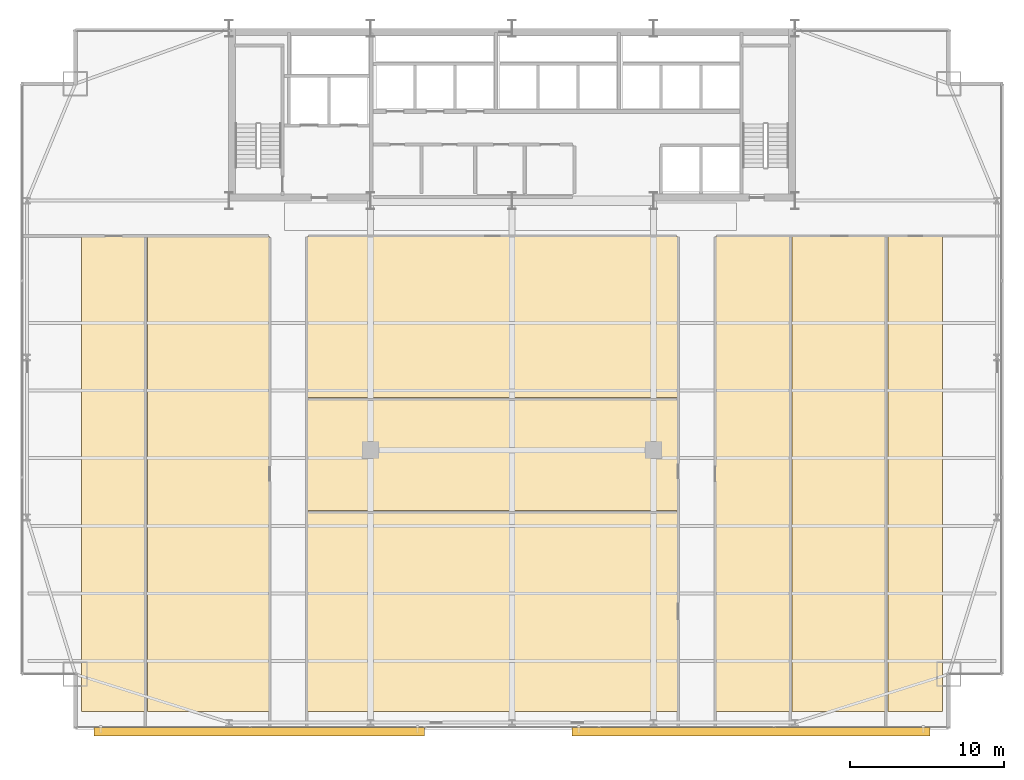
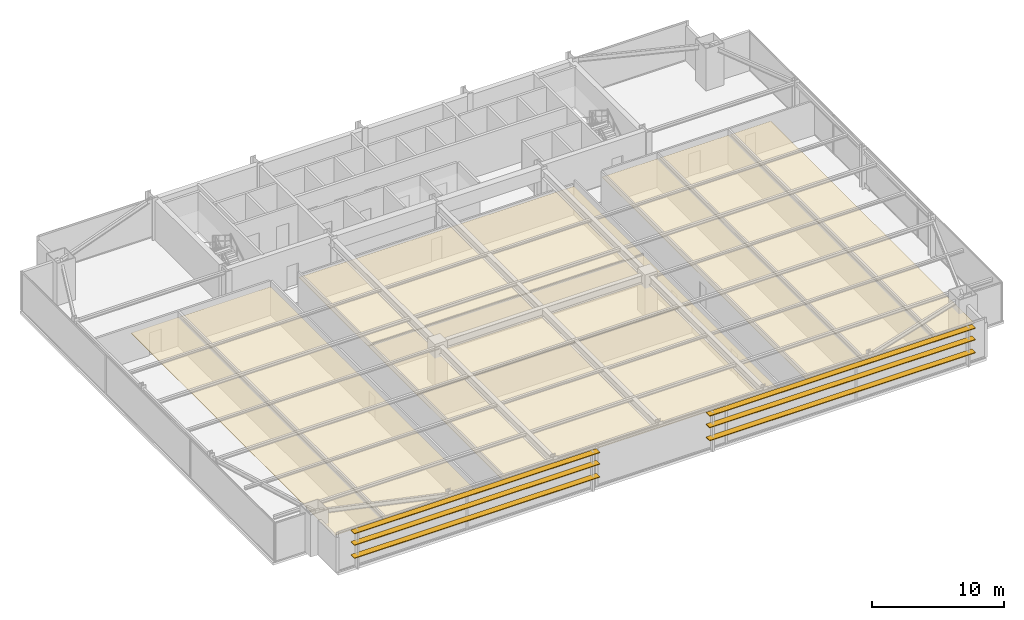
# One storey, part 31 of 32: 8 coverings, 6 shading devices.
"""IFC4 building model written with IfcOpenShell, lengths in metres."""

from ifc_helpers import new_model, si_unit, direction, frame, origin, origin_2d, place, context, subcontext, project, spatial, polyline, rectangle, outline, extrude, source, transform, mapped, material, layer, layer_set, type_object, type_shapes, element, save


model = new_model("IFC4")

# Units and contexts
model_context = context("Model", 3, precision=1e-05, world=origin(), true_north=direction((0.0, 1.0)))
body_context = subcontext(model_context, "Body", "Model", "MODEL_VIEW")
ifc_project = project(units=[si_unit("LENGTHUNIT", "METRE"), si_unit("AREAUNIT", "SQUARE_METRE"), si_unit("VOLUMEUNIT", "CUBIC_METRE"), si_unit("PLANEANGLEUNIT", "RADIAN"), si_unit("MASSUNIT", "GRAM", prefix="KILO")], contexts=[model_context])

# Site, building, storey
site_placement = place(None, origin())
site = spatial("IfcSite", under=ifc_project, at=site_placement, CompositionType="ELEMENT")
building_placement = place(site_placement, origin())
building = spatial("IfcBuilding", under=site, at=building_placement, Name="Varnel Quay Broadcast Tower", CompositionType="ELEMENT")
storey_placement = place(building_placement, frame((0.0, 0.0, 70.5)))
storey = spatial("IfcBuildingStorey", under=building, at=storey_placement, Name="L16", CompositionType="ELEMENT", Elevation=70.5)

# Coverings
ifc_material_1 = material(Name="Micro-Perforated Acoustic Ceiling Tile")
ifc_layer_1 = layer(ifc_material_1, 0.0400390625, Name="Micro-Perforated Acoustic Ceiling Tile")
ifc_layer_set_1 = layer_set([ifc_layer_1], Name="Micro-Perforated Acoustic Ceiling Tile")
covering_type = type_object("IfcCoveringType", Name="Cov_AcousticCeiling", PredefinedType="CEILING", material=ifc_layer_set_1)
covering_1_placement = place(storey_placement, frame((0.0, 0.0, 2.580078125)))
element("IfcCovering", 1, at=covering_1_placement, inside=storey, type_object=covering_type, Name="L16 Editorial Boardroom 1 Acoustic Ceiling", PredefinedType="CEILING", context=body_context, shape_type="SweptSolid", body=[
    extrude(outline(polyline([(5.985107421875, 2.375), (10.215087890625, 2.375), (10.215087890625, 33.264892578125), (5.985107421875, 33.264892578125), (5.985107421875, 2.375)])), origin(), (0.0, 0.0, 1.0), 0.0400390625),
])
covering_2_placement = place(storey_placement, frame((0.0, 0.0, 2.580078125)))
element("IfcCovering", 2, at=covering_2_placement, inside=storey, type_object=covering_type, Name="L16 Break Kitchen 2 Acoustic Ceiling", PredefinedType="CEILING", context=body_context, shape_type="SweptSolid", body=[
    extrude(outline(polyline([(10.284912109375, 2.375), (18.215087890625, 2.375), (18.215087890625, 33.264892578125), (10.284912109375, 33.264892578125), (10.284912109375, 2.375)])), origin(), (0.0, 0.0, 1.0), 0.0400390625),
])
covering_3_placement = place(storey_placement, frame((0.0, 0.0, 2.580078125)))
element("IfcCovering", 3, at=covering_3_placement, inside=storey, type_object=covering_type, Name="L16 Press Green Lounge 3 Acoustic Ceiling", PredefinedType="CEILING", context=body_context, shape_type="SweptSolid", body=[
    extrude(outline(polyline([(20.68505859375, 2.375), (44.77490234375, 2.375), (44.77490234375, 15.385009765625), (20.68505859375, 15.385009765625), (20.68505859375, 2.375)])), origin(), (0.0, 0.0, 1.0), 0.0400390625),
])
covering_4_placement = place(storey_placement, frame((0.0, 0.0, 2.580078125)))
element("IfcCovering", 4, at=covering_4_placement, inside=storey, type_object=covering_type, Name="L16 Camera Locker Store 4 Acoustic Ceiling", PredefinedType="CEILING", context=body_context, shape_type="SweptSolid", body=[
    extrude(outline(polyline([(20.68505859375, 15.455078125), (44.77490234375, 15.455078125), (44.77490234375, 22.735107421875), (20.68505859375, 22.735107421875), (20.68505859375, 15.455078125)])), origin(), (0.0, 0.0, 1.0), 0.0400390625),
])
covering_5_placement = place(storey_placement, frame((0.0, 0.0, 2.580078125)))
element("IfcCovering", 5, at=covering_5_placement, inside=storey, type_object=covering_type, Name="L16 Broadcast Newsroom 5 Acoustic Ceiling", PredefinedType="CEILING", context=body_context, shape_type="SweptSolid", body=[
    extrude(outline(polyline([(20.68505859375, 22.804931640625), (44.77490234375, 22.804931640625), (44.77490234375, 33.264892578125), (20.68505859375, 33.264892578125), (20.68505859375, 22.804931640625)])), origin(), (0.0, 0.0, 1.0), 0.0400390625),
])
covering_6_placement = place(storey_placement, frame((0.0, 0.0, 2.580078125)))
element("IfcCovering", 6, at=covering_6_placement, inside=storey, type_object=covering_type, Name="L16 Assignment Desk 6 Acoustic Ceiling", PredefinedType="CEILING", context=body_context, shape_type="SweptSolid", body=[
    extrude(outline(polyline([(47.2451171875, 2.375), (52.155029296875, 2.375), (52.155029296875, 33.264892578125), (47.2451171875, 33.264892578125), (47.2451171875, 2.375)])), origin(), (0.0, 0.0, 1.0), 0.0400390625),
])
covering_7_placement = place(storey_placement, frame((0.0, 0.0, 2.580078125)))
element("IfcCovering", 7, at=covering_7_placement, inside=storey, type_object=covering_type, Name="L16 Editorial Boardroom 7 Acoustic Ceiling", PredefinedType="CEILING", context=body_context, shape_type="SweptSolid", body=[
    extrude(outline(polyline([(52.22509765625, 2.375), (58.375, 2.375), (58.375, 33.264892578125), (52.22509765625, 33.264892578125), (52.22509765625, 2.375)])), origin(), (0.0, 0.0, 1.0), 0.0400390625),
])
covering_8_placement = place(storey_placement, frame((0.0, 0.0, 2.580078125)))
element("IfcCovering", 8, at=covering_8_placement, inside=storey, type_object=covering_type, Name="L16 Break Kitchen 8 Acoustic Ceiling", PredefinedType="CEILING", context=body_context, shape_type="SweptSolid", body=[
    extrude(outline(polyline([(58.445068359375, 2.375), (62.014892578125, 2.375), (62.014892578125, 33.264892578125), (58.445068359375, 33.264892578125), (58.445068359375, 2.375)])), origin(), (0.0, 0.0, 1.0), 0.0400390625),
])

# Shading devices
ifc_material_2 = material(Name="Bronze-Terracotta Extruded Ceramic Blade", Category="masonry")
ifc_layer_2 = layer(ifc_material_2, 0.06494140625, Name="Bronze-Terracotta Extruded Ceramic Blade")
ifc_layer_set_2 = layer_set([ifc_layer_2], Name="Bronze-Terracotta Extruded Ceramic Blade")
shading_device_type = type_object("IfcShadingDeviceType", Name="Shade_LouvreBlade550", PredefinedType="JALOUSIE", material=ifc_layer_set_2)
shared_shape_1 = source(origin(), body_context, "Body", "SweptSolid", [
    extrude(rectangle(XDim=23.294921875, YDim=0.550048828125, at=origin_2d()), origin(), (0.0, 0.0, 1.0), 0.06494140625),
])
for number, where, z_axis, x_axis, name in (
    (9, (49.552978515625, 1.06005859375, 1.117431640625), (0.0, 0.0, 1.0), (1.0, 0.0, 0.0), "L16 Lobe 2 Horizontal Louvre Blade 1"),
    (10, (49.552978515625, 1.06005859375, 2.317626953125), (0.0, 0.0, 1.0), (1.0, 0.0, 0.0), "L16 Lobe 2 Horizontal Louvre Blade 2"),
    (11, (49.552978515625, 1.06005859375, 3.387451171875), (0.0, 0.0, 1.0), (1.0, 0.0, 0.0), "L16 Lobe 2 Horizontal Louvre Blade 3"),
):
    element("IfcShadingDevice", number, at=place(storey_placement, frame(where, z_axis=z_axis, x_axis=x_axis)), inside=storey, type_object=shading_device_type, Name=name, PredefinedType="JALOUSIE", context=body_context, shape_type="MappedRepresentation", body=[
        mapped(shared_shape_1, transform((0.0, 0.0, 0.0), x_axis=(1.0, 0.0, 0.0), y_axis=(0.0, 1.0, 0.0), z_axis=(0.0, 0.0, 1.0), scale=1.0)),
    ])
shared_shape_2 = source(origin(), body_context, "Body", "SweptSolid", [
    extrude(rectangle(XDim=21.5048828125, YDim=0.550048828125, at=origin_2d()), origin(), (0.0, 0.0, 1.0), 0.06494140625),
])
type_shapes(shading_device_type, [shared_shape_1, shared_shape_2])
for number, where, z_axis, x_axis, name in (
    (12, (17.552001953125, 1.06005859375, 1.117431640625), (0.0, 0.0, 1.0), (1.0, 0.0, 0.0), "L16 Lobe 1 Horizontal Louvre Blade 1"),
    (13, (17.552001953125, 1.06005859375, 2.317626953125), (0.0, 0.0, 1.0), (1.0, 0.0, 0.0), "L16 Lobe 1 Horizontal Louvre Blade 2"),
    (14, (17.552001953125, 1.06005859375, 3.387451171875), (0.0, 0.0, 1.0), (1.0, 0.0, 0.0), "L16 Lobe 1 Horizontal Louvre Blade 3"),
):
    element("IfcShadingDevice", number, at=place(storey_placement, frame(where, z_axis=z_axis, x_axis=x_axis)), inside=storey, type_object=shading_device_type, Name=name, PredefinedType="JALOUSIE", context=body_context, shape_type="MappedRepresentation", body=[
        mapped(shared_shape_2, transform((0.0, 0.0, 0.0), x_axis=(1.0, 0.0, 0.0), y_axis=(0.0, 1.0, 0.0), z_axis=(0.0, 0.0, 1.0), scale=1.0)),
    ])

save(model, "model.ifc")
